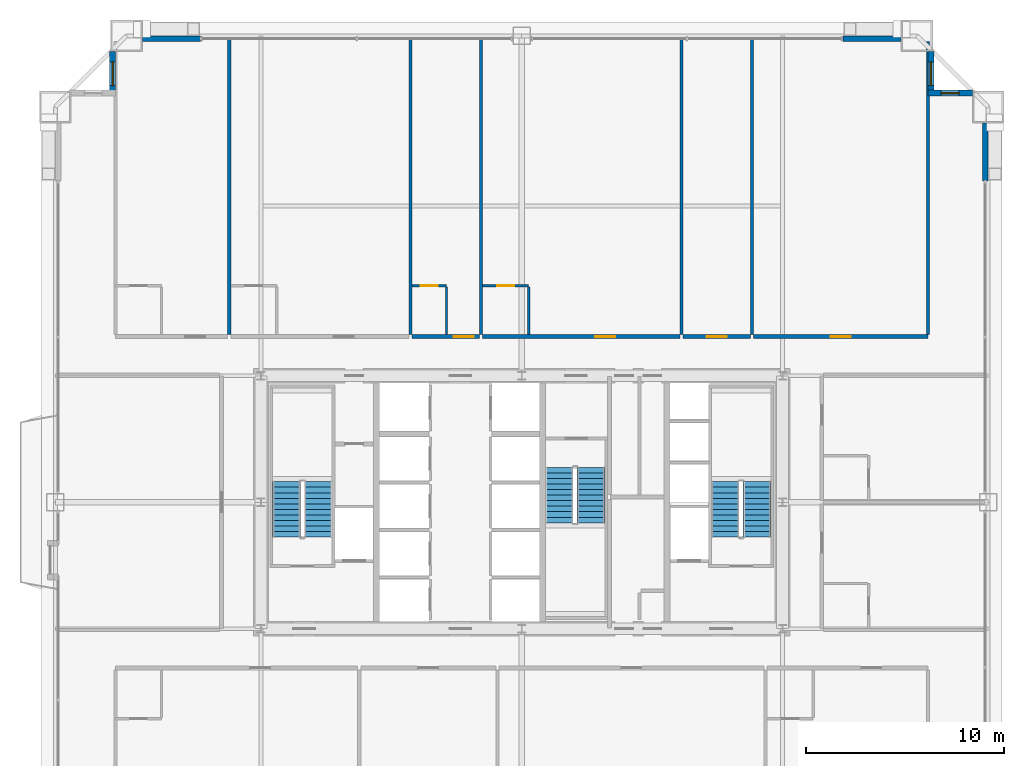
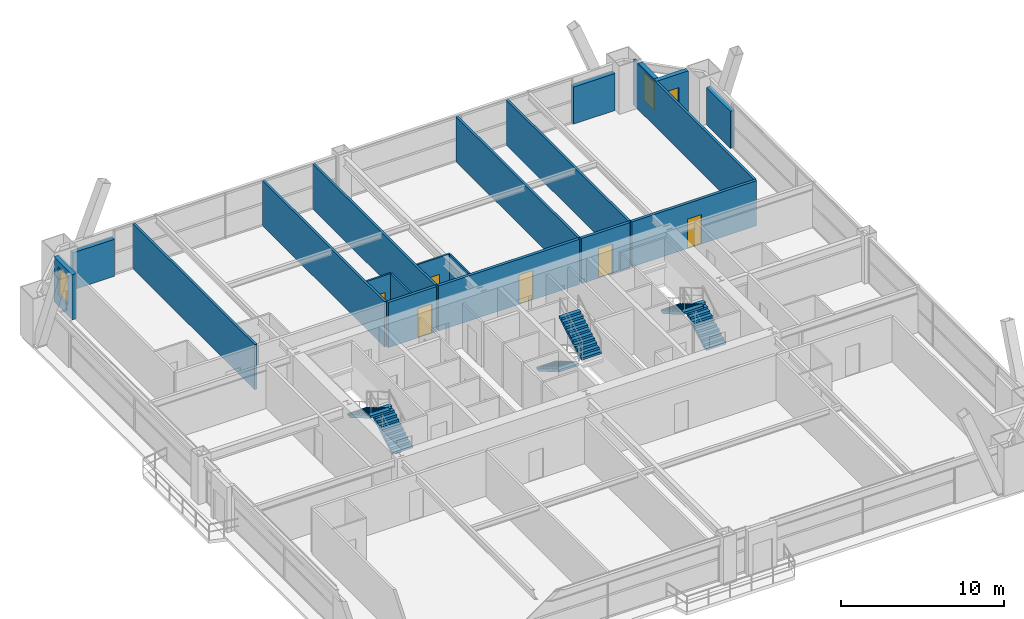
# One storey, part 40 of 41: 20 walls, 6 doors, 6 stair flights, 3 windows, 9 openings, 3 elements without a shape of their own.
"""IFC4 building model written with IfcOpenShell, lengths in metres."""

from ifc_helpers import new_model, si_unit, direction, frame, frame_2d, origin, place, context, subcontext, project, spatial, polyline, rectangle, outline, extrude, source, transform, mapped, material, layer, layer_set, type_object, element, fill, aggregate, save


model = new_model("IFC4")

# Units and contexts
model_context = context("Model", 3, precision=1e-05, world=origin(), true_north=direction((0.0, 1.0)))
body_context = subcontext(model_context, "Body", "Model", "MODEL_VIEW")
ifc_project = project(units=[si_unit("LENGTHUNIT", "METRE"), si_unit("AREAUNIT", "SQUARE_METRE"), si_unit("VOLUMEUNIT", "CUBIC_METRE"), si_unit("PLANEANGLEUNIT", "RADIAN"), si_unit("MASSUNIT", "GRAM", prefix="KILO"), si_unit("THERMODYNAMICTEMPERATUREUNIT", "KELVIN"), si_unit("POWERUNIT", "WATT")], contexts=[model_context])

# Site, building, storey
site_placement = place(None, origin())
site = spatial("IfcSite", under=ifc_project, at=site_placement, CompositionType="ELEMENT")
building_placement = place(site_placement, origin())
building = spatial("IfcBuilding", under=site, at=building_placement, Name="Yuzanri Waterfront Tower", CompositionType="ELEMENT")
storey_placement = place(building_placement, frame((0.0, 0.0, 115.39990234375)))
storey = spatial("IfcBuildingStorey", under=building, at=storey_placement, Name="L30", CompositionType="ELEMENT", Elevation=115.39990234375)

# Wall, opening, door
ifc_material_1 = material(Name="Moisture-Resistant Gypsum Stud Wall", Category="gypsum")
ifc_layer_1 = layer(ifc_material_1, 0.1201171875)
ifc_layer_set_1 = layer_set([ifc_layer_1], Name="Moisture-Resistant Gypsum Stud Wall")
wall_type_1 = type_object("IfcWallType", Name="Bathroom and Kitchen Wet Partition 120", PredefinedType="PARTITIONING", material=ifc_layer_set_1)
wall_1_placement = place(storey_placement, frame((31.4599609375, 36.760009765625, 0.0), z_axis=(0.0, 0.0, 1.0), x_axis=(1.0, 0.0, 0.0)))
wall_1 = element("IfcWall", 1, at=wall_1_placement, inside=storey, type_object=wall_type_1, Name="L30 Partition UW-L30-N3-BN", PredefinedType="PARTITIONING", context=body_context, shape_type="SweptSolid", body=[
    extrude(rectangle(XDim=1.72998046875, YDim=0.1201171875, at=frame_2d((0.864990234375, 0.0))), origin(), (0.0, 0.0, 1.0), 3.380126953125),
])
opening_1_placement = place(wall_1_placement, frame((0.43994140625, 0.0, 0.0)))
opening_1 = element("IfcOpeningElement", 2, at=opening_1_placement, cuts=wall_1, Name="Opening ID-0850", PredefinedType="OPENING", context=body_context, shape_type="SweptSolid", body=[
    extrude(rectangle(XDim=0.85009765625, YDim=2.10009765625, at=frame_2d((0.425048828125, 1.050048828125))), frame((0.0, 0.074951171875, 0.0), z_axis=(0.0, -1.0, 0.0), x_axis=(1.0, 0.0, 0.0)), (0.0, 0.0, 1.0), 0.14990234375),
])
ifc_material_2 = material(Name="Moisture-Resistant Lacquered Timber", Category="wood")
door_type_1 = type_object("IfcDoorType", Name="En-Suite Bathroom and Kitchen Swing Door 850x2100", OperationType="NOTDEFINED", PredefinedType="DOOR", material=ifc_material_2)
shared_shape_1 = source(origin(), body_context, "Body", "SweptSolid", [
    extrude(rectangle(XDim=0.85009765625, YDim=2.10009765625, at=frame_2d((0.425048828125, 1.050048828125))), frame((0.0, 0.02490234375, 0.0), z_axis=(0.0, -1.0, 0.0), x_axis=(1.0, 0.0, 0.0)), (0.0, 0.0, 1.0), 0.050048828125),
])
door_1_placement = place(opening_1_placement, origin())
door_1 = element("IfcDoor", 3, at=door_1_placement, inside=storey, type_object=door_type_1, Name="L30 Guest En-Suite Door", OperationType="SINGLE_SWING_RIGHT", OverallHeight=2.10009765625, OverallWidth=0.85009765625, PredefinedType="DOOR", context=body_context, shape_type="MappedRepresentation", body=[
    mapped(shared_shape_1, transform((0.0, 0.0, 0.0), scale=1.0)),
])
fill(opening_1, door_1)

wall_2_placement = place(storey_placement, frame((35.02392578125, 36.760009765625, 0.0), z_axis=(0.0, 0.0, 1.0), x_axis=(1.0, 0.0, 0.0)))
wall_2 = element("IfcWall", 4, at=wall_2_placement, inside=storey, type_object=wall_type_1, Name="L30 Partition UW-L30-N4-BN", PredefinedType="PARTITIONING", context=body_context, shape_type="SweptSolid", body=[
    extrude(rectangle(XDim=2.330078125, YDim=0.1201171875, at=frame_2d((1.1650390625, 0.0))), origin(), (0.0, 0.0, 1.0), 3.380126953125),
])
opening_2_placement = place(wall_2_placement, frame((0.739990234375, 0.0, 0.0)))
opening_2 = element("IfcOpeningElement", 5, at=opening_2_placement, cuts=wall_2, Name="Opening ID-0850", PredefinedType="OPENING", context=body_context, shape_type="SweptSolid", body=[
    extrude(rectangle(XDim=0.85009765625, YDim=2.10009765625, at=frame_2d((0.425048828125, 1.050048828125))), frame((0.0, 0.074951171875, 0.0), z_axis=(0.0, -1.0, 0.0), x_axis=(1.0, 0.0, 0.0)), (0.0, 0.0, 1.0), 0.14990234375),
])
door_2_placement = place(opening_2_placement, origin())
door_2 = element("IfcDoor", 6, at=door_2_placement, inside=storey, type_object=door_type_1, Name="L30 Guest En-Suite Door", OperationType="SINGLE_SWING_RIGHT", OverallHeight=2.10009765625, OverallWidth=0.85009765625, PredefinedType="DOOR", context=body_context, shape_type="MappedRepresentation", body=[
    mapped(shared_shape_1, transform((0.0, 0.0, 0.0), scale=1.0)),
])
fill(opening_2, door_2)

# Wall, opening, window
ifc_material_3 = material(Name="Honed Chongqing Dark Basalt Stone", Category="masonry")
ifc_layer_2 = layer(ifc_material_3, 0.300048828125)
ifc_layer_set_2 = layer_set([ifc_layer_2], Name="Honed Chongqing Dark Basalt Stone")
wall_type_2 = type_object("IfcWallType", Name="Bronze Rainscreen Insulated Spandrel Portal Wall 300", PredefinedType="SOLIDWALL", material=ifc_layer_set_2)
wall_3_placement = place(storey_placement, frame((16.300048828125, 48.60009765625, 0.0), z_axis=(0.0, 0.0, 1.0), x_axis=(0.0, -1.0, 0.0)))
wall_3 = element("IfcWall", 7, at=wall_3_placement, inside=storey, type_object=wall_type_2, Name="L30 Notched Corner Masonry Wall NW-Y", PredefinedType="SOLIDWALL", context=body_context, shape_type="SweptSolid", body=[
    extrude(rectangle(XDim=2.25, YDim=0.300048828125, at=frame_2d((1.125, 0.0))), origin(), (0.0, 0.0, 1.0), 3.380126953125),
])
opening_3_placement = place(wall_3_placement, frame((0.52490234375, 0.0, 0.85009765625)))
opening_3 = element("IfcOpeningElement", 8, at=opening_3_placement, cuts=wall_3, Name="Opening WN-02", PredefinedType="OPENING", context=body_context, shape_type="SweptSolid", body=[
    extrude(rectangle(XDim=1.199951171875, YDim=2.10009765625, at=frame_2d((0.60009765625, 1.050048828125))), frame((0.0, 0.1650390625, 0.0), z_axis=(0.0, -1.0, 0.0), x_axis=(1.0, 0.0, 0.0)), (0.0, 0.0, 1.0), 0.329833984375),
])
ifc_material_4 = material(Name="Double-Silver Low-E Insulated Glass", Category="glass")
window_type_1 = type_object("IfcWindowType", Name="Anodized Bronze Notched Corner Deep-Set Slot Window 1200x2100", PartitioningType="SINGLE_PANEL", PredefinedType="WINDOW", material=ifc_material_4)
shared_shape_2 = source(origin(), body_context, "Body", "SweptSolid", [
    extrude(rectangle(XDim=1.199951171875, YDim=2.10009765625, at=frame_2d((0.60009765625, 1.050048828125))), frame((0.0, 0.030029296875, 0.0), z_axis=(0.0, -1.0, 0.0), x_axis=(1.0, 0.0, 0.0)), (0.0, 0.0, 1.0), 0.06005859375),
])
window_1_placement = place(opening_3_placement, origin())
window_1 = element("IfcWindow", 9, at=window_1_placement, inside=storey, type_object=window_type_1, Name="L30 Notched Corner Window NW-Y", OverallHeight=2.10009765625, OverallWidth=1.199951171875, PartitioningType="SINGLE_PANEL", PredefinedType="WINDOW", context=body_context, shape_type="MappedRepresentation", body=[
    mapped(shared_shape_2, transform((0.0, 0.0, 0.0), scale=1.0)),
])
fill(opening_3, window_1)

wall_4_placement = place(storey_placement, frame((59.800048828125, 46.5, 0.0), z_axis=(0.0, 0.0, 1.0), x_axis=(-1.0, 0.0, 0.0)))
wall_4 = element("IfcWall", 10, at=wall_4_placement, inside=storey, type_object=wall_type_2, Name="L30 Notched Corner Masonry Wall NE-X", PredefinedType="SOLIDWALL", context=body_context, shape_type="SweptSolid", body=[
    extrude(rectangle(XDim=2.25, YDim=0.300048828125, at=frame_2d((1.125, 0.0))), origin(), (0.0, 0.0, 1.0), 3.380126953125),
])
opening_4_placement = place(wall_4_placement, frame((0.675048828125, 0.0, 0.85009765625)))
opening_4 = element("IfcOpeningElement", 11, at=opening_4_placement, cuts=wall_4, Name="Opening WN-05", PredefinedType="OPENING", context=body_context, shape_type="SweptSolid", body=[
    extrude(rectangle(XDim=0.89990234375, YDim=1.5, at=frame_2d((0.449951171875, 0.75))), frame((0.0, 0.1650390625, 0.0), z_axis=(0.0, -1.0, 0.0), x_axis=(1.0, 0.0, 0.0)), (0.0, 0.0, 1.0), 0.329833984375),
])
ifc_material_5 = material(Name="Double-Silver Low-E Insulated Glass", Category="glass")
window_type_2 = type_object("IfcWindowType", Name="Anodized Bronze Service and Stairwell Smoke-Vent Window 900x1500", PartitioningType="SINGLE_PANEL", PredefinedType="WINDOW", material=ifc_material_5)
shared_shape_3 = source(origin(), body_context, "Body", "SweptSolid", [
    extrude(rectangle(XDim=0.89990234375, YDim=1.5, at=frame_2d((0.449951171875, 0.75))), frame((0.0, 0.030029296875, 0.0), z_axis=(0.0, -1.0, 0.0), x_axis=(1.0, 0.0, 0.0)), (0.0, 0.0, 1.0), 0.06005859375),
])
window_2_placement = place(opening_4_placement, origin())
window_2 = element("IfcWindow", 12, at=window_2_placement, inside=storey, type_object=window_type_2, Name="L30 Notched Corner Window NE-X", OverallHeight=1.5, OverallWidth=0.89990234375, PartitioningType="SINGLE_PANEL", PredefinedType="WINDOW", context=body_context, shape_type="MappedRepresentation", body=[
    mapped(shared_shape_3, transform((0.0, 0.0, 0.0), scale=1.0)),
])
fill(opening_4, window_2)

wall_5_placement = place(storey_placement, frame((57.699951171875, 46.35009765625, 0.0), z_axis=(0.0, 0.0, 1.0), x_axis=(0.0, 1.0, 0.0)))
wall_5 = element("IfcWall", 13, at=wall_5_placement, inside=storey, type_object=wall_type_2, Name="L30 Notched Corner Masonry Wall NE-Y", PredefinedType="SOLIDWALL", context=body_context, shape_type="SweptSolid", body=[
    extrude(rectangle(XDim=2.25, YDim=0.300048828125, at=frame_2d((1.125, 0.0))), origin(), (0.0, 0.0, 1.0), 3.380126953125),
])
opening_5_placement = place(wall_5_placement, frame((0.52490234375, 0.0, 0.85009765625)))
opening_5 = element("IfcOpeningElement", 14, at=opening_5_placement, cuts=wall_5, Name="Opening WN-02", PredefinedType="OPENING", context=body_context, shape_type="SweptSolid", body=[
    extrude(rectangle(XDim=1.199951171875, YDim=2.10009765625, at=frame_2d((0.60009765625, 1.050048828125))), frame((0.0, 0.1650390625, 0.0), z_axis=(0.0, -1.0, 0.0), x_axis=(1.0, 0.0, 0.0)), (0.0, 0.0, 1.0), 0.329833984375),
])
window_3_placement = place(opening_5_placement, origin())
window_3 = element("IfcWindow", 15, at=window_3_placement, inside=storey, type_object=window_type_1, Name="L30 Notched Corner Window NE-Y", OverallHeight=2.10009765625, OverallWidth=1.199951171875, PartitioningType="SINGLE_PANEL", PredefinedType="WINDOW", context=body_context, shape_type="MappedRepresentation", body=[
    mapped(shared_shape_2, transform((0.0, 0.0, 0.0), scale=1.0)),
])
fill(opening_5, window_3)

# Wall, opening, door
ifc_material_6 = material(Name="Autoclaved Aerated Concrete Blockwork", Category="masonry")
ifc_layer_3 = layer(ifc_material_6, 0.199951171875)
ifc_layer_set_3 = layer_set([ifc_layer_3], Name="Autoclaved Aerated Concrete Blockwork")
wall_type_3 = type_object("IfcWallType", Name="Corridor and Unit Party Fire Wall 200", PredefinedType="PARTITIONING", material=ifc_layer_set_3)
wall_6_placement = place(storey_placement, frame((31.4599609375, 34.179931640625, 0.0), z_axis=(0.0, 0.0, 1.0), x_axis=(1.0, 0.0, 0.0)))
wall_6 = element("IfcWall", 16, at=wall_6_placement, inside=storey, type_object=wall_type_3, Name="L30 Partition UW-L30-N3-CS", PredefinedType="PARTITIONING", context=body_context, shape_type="SweptSolid", body=[
    extrude(rectangle(XDim=3.404052734375, YDim=0.199951171875, at=frame_2d((1.7021484375, 0.0))), origin(), (0.0, 0.0, 1.0), 3.380126953125),
])
opening_6_placement = place(wall_6_placement, frame((2.10693359375, 0.0, 0.0)))
opening_6 = element("IfcOpeningElement", 17, at=opening_6_placement, cuts=wall_6, Name="Opening FD-1000", PredefinedType="OPENING", context=body_context, shape_type="SweptSolid", body=[
    extrude(rectangle(XDim=1.0, YDim=2.199951171875, at=frame_2d((0.5, 1.10009765625))), frame((0.0, 0.11474609375, 0.0), z_axis=(0.0, -1.0, 0.0), x_axis=(1.0, 0.0, 0.0)), (0.0, 0.0, 1.0), 0.229736328125),
])
ifc_material_7 = material(Name="Engineered Oak Fire-Rated Timber", Category="wood")
door_type_2 = type_object("IfcDoorType", Name="Guestroom and Apartment Entrance Fire Door 1000x2200", OperationType="NOTDEFINED", PredefinedType="DOOR", material=ifc_material_7)
shared_shape_4 = source(origin(), body_context, "Body", "SweptSolid", [
    extrude(rectangle(XDim=1.0, YDim=2.199951171875, at=frame_2d((0.5, 1.10009765625))), frame((0.0, 0.02490234375, 0.0), z_axis=(0.0, -1.0, 0.0), x_axis=(1.0, 0.0, 0.0)), (0.0, 0.0, 1.0), 0.050048828125),
])
door_3_placement = place(opening_6_placement, origin())
door_3 = element("IfcDoor", 18, at=door_3_placement, inside=storey, type_object=door_type_2, Name="L30 Executive Suite Entrance Door", OperationType="SINGLE_SWING_LEFT", OverallHeight=2.199951171875, OverallWidth=1.0, PredefinedType="DOOR", context=body_context, shape_type="MappedRepresentation", body=[
    mapped(shared_shape_4, transform((0.0, 0.0, 0.0), scale=1.0)),
])
fill(opening_6, door_3)

wall_7_placement = place(storey_placement, frame((35.02392578125, 34.179931640625, 0.0), z_axis=(0.0, 0.0, 1.0), x_axis=(1.0, 0.0, 0.0)))
wall_7 = element("IfcWall", 19, at=wall_7_placement, inside=storey, type_object=wall_type_3, Name="L30 Partition UW-L30-N4-CS", PredefinedType="PARTITIONING", context=body_context, shape_type="SweptSolid", body=[
    extrude(rectangle(XDim=9.983154296875, YDim=0.199951171875, at=frame_2d((4.99169921875, 0.0))), origin(), (0.0, 0.0, 1.0), 3.380126953125),
])
opening_7_placement = place(wall_7_placement, frame((5.697021484375, 0.0, 0.0)))
opening_7 = element("IfcOpeningElement", 20, at=opening_7_placement, cuts=wall_7, Name="Opening FD-1000", PredefinedType="OPENING", context=body_context, shape_type="SweptSolid", body=[
    extrude(rectangle(XDim=1.0, YDim=2.199951171875, at=frame_2d((0.5, 1.10009765625))), frame((0.0, 0.11474609375, 0.0), z_axis=(0.0, -1.0, 0.0), x_axis=(1.0, 0.0, 0.0)), (0.0, 0.0, 1.0), 0.229736328125),
])
door_4_placement = place(opening_7_placement, origin())
door_4 = element("IfcDoor", 21, at=door_4_placement, inside=storey, type_object=door_type_2, Name="L30 Executive Suite Entrance Door", OperationType="SINGLE_SWING_LEFT", OverallHeight=2.199951171875, OverallWidth=1.0, PredefinedType="DOOR", context=body_context, shape_type="MappedRepresentation", body=[
    mapped(shared_shape_4, transform((0.0, 0.0, 0.0), scale=1.0)),
])
fill(opening_7, door_4)

wall_8_placement = place(storey_placement, frame((45.1669921875, 34.179931640625, 0.0), z_axis=(0.0, 0.0, 1.0), x_axis=(1.0, 0.0, 0.0)))
wall_8 = element("IfcWall", 22, at=wall_8_placement, inside=storey, type_object=wall_type_3, Name="L30 Partition UW-L30-N5-CS", PredefinedType="PARTITIONING", context=body_context, shape_type="SweptSolid", body=[
    extrude(rectangle(XDim=3.404052734375, YDim=0.199951171875, at=frame_2d((1.7021484375, 0.0))), origin(), (0.0, 0.0, 1.0), 3.380126953125),
])
opening_8_placement = place(wall_8_placement, frame((1.201904296875, 0.0, 0.0)))
opening_8 = element("IfcOpeningElement", 23, at=opening_8_placement, cuts=wall_8, Name="Opening FD-1000", PredefinedType="OPENING", context=body_context, shape_type="SweptSolid", body=[
    extrude(rectangle(XDim=1.0, YDim=2.199951171875, at=frame_2d((0.5, 1.10009765625))), frame((0.0, 0.11474609375, 0.0), z_axis=(0.0, -1.0, 0.0), x_axis=(1.0, 0.0, 0.0)), (0.0, 0.0, 1.0), 0.229736328125),
])
door_5_placement = place(opening_8_placement, origin())
door_5 = element("IfcDoor", 24, at=door_5_placement, inside=storey, type_object=door_type_2, Name="L30 Private Dining Restaurant Entrance Door", OperationType="SINGLE_SWING_LEFT", OverallHeight=2.199951171875, OverallWidth=1.0, PredefinedType="DOOR", context=body_context, shape_type="MappedRepresentation", body=[
    mapped(shared_shape_4, transform((0.0, 0.0, 0.0), scale=1.0)),
])
fill(opening_8, door_5)

wall_9_placement = place(storey_placement, frame((48.73095703125, 34.179931640625, 0.0), z_axis=(0.0, 0.0, 1.0), x_axis=(1.0, 0.0, 0.0)))
wall_9 = element("IfcWall", 25, at=wall_9_placement, inside=storey, type_object=wall_type_3, Name="L30 Partition UW-L30-N6-CS", PredefinedType="PARTITIONING", context=body_context, shape_type="SweptSolid", body=[
    extrude(rectangle(XDim=8.8291015625, YDim=0.199951171875, at=frame_2d((4.41455078125, 0.0))), origin(), (0.0, 0.0, 1.0), 3.380126953125),
])
opening_9_placement = place(wall_9_placement, frame((3.9140625, 0.0, 0.0)))
opening_9 = element("IfcOpeningElement", 26, at=opening_9_placement, cuts=wall_9, Name="Opening FD-1000", PredefinedType="OPENING", context=body_context, shape_type="SweptSolid", body=[
    extrude(rectangle(XDim=1.0, YDim=2.199951171875, at=frame_2d((0.5, 1.10009765625))), frame((0.0, 0.11474609375, 0.0), z_axis=(0.0, -1.0, 0.0), x_axis=(1.0, 0.0, 0.0)), (0.0, 0.0, 1.0), 0.229736328125),
])
door_6_placement = place(opening_9_placement, origin())
door_6 = element("IfcDoor", 27, at=door_6_placement, inside=storey, type_object=door_type_2, Name="L30 Sky Tea Restaurant Entrance Door", OperationType="SINGLE_SWING_RIGHT", OverallHeight=2.199951171875, OverallWidth=1.0, PredefinedType="DOOR", context=body_context, shape_type="MappedRepresentation", body=[
    mapped(shared_shape_4, transform((0.0, 0.0, 0.0), scale=1.0)),
])
fill(opening_9, door_6)

# Walls
shared_shape_5 = source(origin(), body_context, "Body", "SweptSolid", [
    extrude(rectangle(XDim=2.949951171875, YDim=0.300048828125, at=frame_2d((1.47509765625, 0.0))), origin(), (0.0, 0.0, 1.0), 2.775146484375),
])
for number, where, z_axis, x_axis, name in (
    (28, (17.800048828125, 49.25, 0.0), (0.0, 0.0, 1.0), (1.0, 0.0, 0.0), "L30 N Left Braced Masonry Shoulder"),
    (29, (53.25, 49.25, 0.0), (0.0, 0.0, 1.0), (1.0, 0.0, 0.0), "L30 N Right Braced Masonry Shoulder"),
    (30, (60.449951171875, 42.050048828125, 0.0), (0.0, 0.0, 1.0), (0.0, 1.0, 0.0), "L30 E Right Braced Masonry Shoulder"),
):
    element("IfcWall", number, at=place(storey_placement, frame(where, z_axis=z_axis, x_axis=x_axis)), inside=storey, type_object=wall_type_2, Name=name, PredefinedType="SOLIDWALL", context=body_context, shape_type="MappedRepresentation", body=[
        mapped(shared_shape_5, transform((0.0, 0.0, 0.0), scale=1.0)),
    ])
shared_shape_6 = source(origin(), body_context, "Body", "SweptSolid", [
    extrude(rectangle(XDim=2.419921875, YDim=0.1201171875, at=frame_2d((1.2099609375, 0.0))), origin(), (0.0, 0.0, 1.0), 3.380126953125),
])
for number, where, z_axis, x_axis, name in (
    (31, (33.18994140625, 34.280029296875, 0.0), (0.0, 0.0, 1.0), (0.0, 1.0, 0.0), "L30-N3 En-Suite Side Wall"),
    (32, (37.35400390625, 34.280029296875, 0.0), (0.0, 0.0, 1.0), (0.0, 1.0, 0.0), "L30-N4 En-Suite Side Wall"),
):
    element("IfcWall", number, at=place(storey_placement, frame(where, z_axis=z_axis, x_axis=x_axis)), inside=storey, type_object=wall_type_1, Name=name, PredefinedType="PARTITIONING", context=body_context, shape_type="MappedRepresentation", body=[
        mapped(shared_shape_6, transform((0.0, 0.0, 0.0), scale=1.0)),
    ])
ifc_material_8 = material(Name="Gypsum Fireboard Acoustic Stud Wall", Category="gypsum")
ifc_layer_4 = layer(ifc_material_8, 0.159912109375)
ifc_layer_set_4 = layer_set([ifc_layer_4], Name="Gypsum Fireboard Acoustic Stud Wall")
wall_type_4 = type_object("IfcWallType", Name="Acoustic Suite Demising Partition 160", PredefinedType="PARTITIONING", material=ifc_layer_set_4)
shared_shape_7 = source(origin(), body_context, "Body", "SweptSolid", [
    extrude(rectangle(XDim=14.969970703125, YDim=0.159912109375, at=frame_2d((7.48486328125, 0.0))), origin(), (0.0, 0.0, 1.0), 3.380126953125),
])
for number, where, z_axis, x_axis, name in (
    (33, (22.197021484375, 34.280029296875, 0.0), (0.0, 0.0, 1.0), (0.0, 1.0, 0.0), "L30-N1 Party Wall"),
    (34, (31.3798828125, 34.280029296875, 0.0), (0.0, 0.0, 1.0), (0.0, 1.0, 0.0), "L30-N2 Party Wall"),
    (35, (34.944091796875, 34.280029296875, 0.0), (0.0, 0.0, 1.0), (0.0, 1.0, 0.0), "L30-N3 Party Wall"),
    (36, (45.0869140625, 34.280029296875, 0.0), (0.0, 0.0, 1.0), (0.0, 1.0, 0.0), "L30-N4 Party Wall"),
    (37, (48.65087890625, 34.280029296875, 0.0), (0.0, 0.0, 1.0), (0.0, 1.0, 0.0), "L30-N5 Party Wall"),
):
    element("IfcWall", number, at=place(storey_placement, frame(where, z_axis=z_axis, x_axis=x_axis)), inside=storey, type_object=wall_type_4, Name=name, PredefinedType="PARTITIONING", context=body_context, shape_type="MappedRepresentation", body=[
        mapped(shared_shape_7, transform((0.0, 0.0, 0.0), scale=1.0)),
    ])
shared_shape_8 = source(origin(), body_context, "Body", "SweptSolid", [
    extrude(rectangle(XDim=14.820068359375, YDim=0.159912109375, at=frame_2d((7.41015625, 0.0))), origin(), (0.0, 0.0, 1.0), 3.380126953125),
])
wall_10_placement = place(storey_placement, frame((57.550048828125, 34.280029296875, 0.0), z_axis=(0.0, 0.0, 1.0), x_axis=(0.0, 1.0, 0.0)))
element("IfcWall", 38, at=wall_10_placement, inside=storey, type_object=wall_type_4, Name="L30 North Band East End Wall", PredefinedType="PARTITIONING", context=body_context, shape_type="MappedRepresentation", body=[
    mapped(shared_shape_8, transform((0.0, 0.0, 0.0), scale=1.0)),
])

# Stair, stair flights
ifc_material_9 = material(Name="Concrete C40", Category="concrete")
stair_type = type_object("IfcStairType", Name="Concrete C40 Core Dogleg Exit Stair", PredefinedType="HALF_TURN_STAIR", material=ifc_material_9)
stair_1_placement = place(storey_placement, origin())
stair_1 = element("IfcStair", 39, at=stair_1_placement, inside=storey, type_object=stair_type, Name="L30 Smoke-Proof Core Stair ST-01", PredefinedType="HALF_TURN_STAIR")
ifc_material_10 = material(Name="Concrete C40", Category="concrete")
stair_flight_type = type_object("IfcStairFlightType", Name="Concrete C40 Precast Stair Flight 1380", PredefinedType="STRAIGHT", material=ifc_material_10)
shared_shape_9 = source(origin(), body_context, "Body", "SweptSolid", [
    extrude(outline(polyline([(0.0, 0.0), (0.0, 0.16357421875), (0.280029296875, 0.16357421875), (0.280029296875, 0.327392578125), (0.56005859375, 0.327392578125), (0.56005859375, 0.490966796875), (0.840087890625, 0.490966796875), (0.840087890625, 0.654541015625), (1.1201171875, 0.654541015625), (1.1201171875, 0.818115234375), (1.39990234375, 0.818115234375), (1.39990234375, 0.98193359375), (1.679931640625, 0.98193359375), (1.679931640625, 1.1455078125), (1.9599609375, 1.1455078125), (1.9599609375, 1.30908203125), (2.239990234375, 1.30908203125), (2.239990234375, 1.47265625), (2.52001953125, 1.47265625), (2.52001953125, 1.636474609375), (2.800048828125, 1.636474609375), (2.800048828125, 1.800048828125), (2.800048828125, 1.462646484375), (0.297119140625, 0.0), (0.0, 0.0)])), frame((0.0, 0.699951171875, 0.0), z_axis=(0.0, -1.0, 0.0), x_axis=(1.0, 0.0, 0.0)), (0.0, 0.0, 1.0), 1.39990234375),
])
stair_flight_1_placement = place(storey_placement, frame((26.699951171875, 24.0400390625, 0.0), z_axis=(0.0, 0.0, 1.0), x_axis=(0.0, 1.0, 0.0)))
stair_flight_1 = element("IfcStairFlight", 40, at=stair_flight_1_placement, type_object=stair_flight_type, Name="ST-01 flight 1", NumberOfRisers=11, NumberOfTreads=10, PredefinedType="STRAIGHT", RiserHeight=0.163636364, TreadLength=0.28, context=body_context, shape_type="MappedRepresentation", body=[
    mapped(shared_shape_9, transform((0.0, 0.0, 0.0), scale=1.0)),
])
stair_flight_2_placement = place(storey_placement, frame((25.10009765625, 26.840087890625, 1.800048828125), z_axis=(0.0, 0.0, 1.0), x_axis=(0.0, -1.0, 0.0)))
stair_flight_2 = element("IfcStairFlight", 41, at=stair_flight_2_placement, type_object=stair_flight_type, Name="ST-01 flight 2", NumberOfRisers=11, NumberOfTreads=10, PredefinedType="STRAIGHT", RiserHeight=0.163636364, TreadLength=0.28, context=body_context, shape_type="MappedRepresentation", body=[
    mapped(shared_shape_9, transform((0.0, 0.0, 0.0), scale=1.0)),
])
aggregate(stair_1, [stair_flight_1, stair_flight_2])

stair_2_placement = place(storey_placement, origin())
stair_2 = element("IfcStair", 42, at=stair_2_placement, inside=storey, type_object=stair_type, Name="L30 Smoke-Proof Core Stair ST-02", PredefinedType="HALF_TURN_STAIR")
stair_flight_3_placement = place(storey_placement, frame((48.89990234375, 24.0400390625, 0.0), z_axis=(0.0, 0.0, 1.0), x_axis=(0.0, 1.0, 0.0)))
stair_flight_3 = element("IfcStairFlight", 43, at=stair_flight_3_placement, type_object=stair_flight_type, Name="ST-02 flight 1", NumberOfRisers=11, NumberOfTreads=10, PredefinedType="STRAIGHT", RiserHeight=0.163636364, TreadLength=0.28, context=body_context, shape_type="MappedRepresentation", body=[
    mapped(shared_shape_9, transform((0.0, 0.0, 0.0), scale=1.0)),
])
stair_flight_4_placement = place(storey_placement, frame((47.300048828125, 26.840087890625, 1.800048828125), z_axis=(0.0, 0.0, 1.0), x_axis=(0.0, -1.0, 0.0)))
stair_flight_4 = element("IfcStairFlight", 44, at=stair_flight_4_placement, type_object=stair_flight_type, Name="ST-02 flight 2", NumberOfRisers=11, NumberOfTreads=10, PredefinedType="STRAIGHT", RiserHeight=0.163636364, TreadLength=0.28, context=body_context, shape_type="MappedRepresentation", body=[
    mapped(shared_shape_9, transform((0.0, 0.0, 0.0), scale=1.0)),
])
aggregate(stair_2, [stair_flight_3, stair_flight_4])

stair_3_placement = place(storey_placement, origin())
stair_3 = element("IfcStair", 45, at=stair_3_placement, inside=storey, type_object=stair_type, Name="L30 Smoke-Proof Core Stair ST-03", PredefinedType="HALF_TURN_STAIR")
stair_flight_5_placement = place(storey_placement, frame((38.89990234375, 27.56005859375, 0.0), z_axis=(0.0, 0.0, 1.0), x_axis=(0.0, -1.0, 0.0)))
stair_flight_5 = element("IfcStairFlight", 46, at=stair_flight_5_placement, type_object=stair_flight_type, Name="ST-03 flight 1", NumberOfRisers=11, NumberOfTreads=10, PredefinedType="STRAIGHT", RiserHeight=0.163636364, TreadLength=0.28, context=body_context, shape_type="MappedRepresentation", body=[
    mapped(shared_shape_9, transform((0.0, 0.0, 0.0), scale=1.0)),
])
stair_flight_6_placement = place(storey_placement, frame((40.5, 24.760009765625, 1.800048828125), z_axis=(0.0, 0.0, 1.0), x_axis=(0.0, 1.0, 0.0)))
stair_flight_6 = element("IfcStairFlight", 47, at=stair_flight_6_placement, type_object=stair_flight_type, Name="ST-03 flight 2", NumberOfRisers=11, NumberOfTreads=10, PredefinedType="STRAIGHT", RiserHeight=0.163636364, TreadLength=0.28, context=body_context, shape_type="MappedRepresentation", body=[
    mapped(shared_shape_9, transform((0.0, 0.0, 0.0), scale=1.0)),
])
aggregate(stair_3, [stair_flight_5, stair_flight_6])

save(model, "model.ifc")
